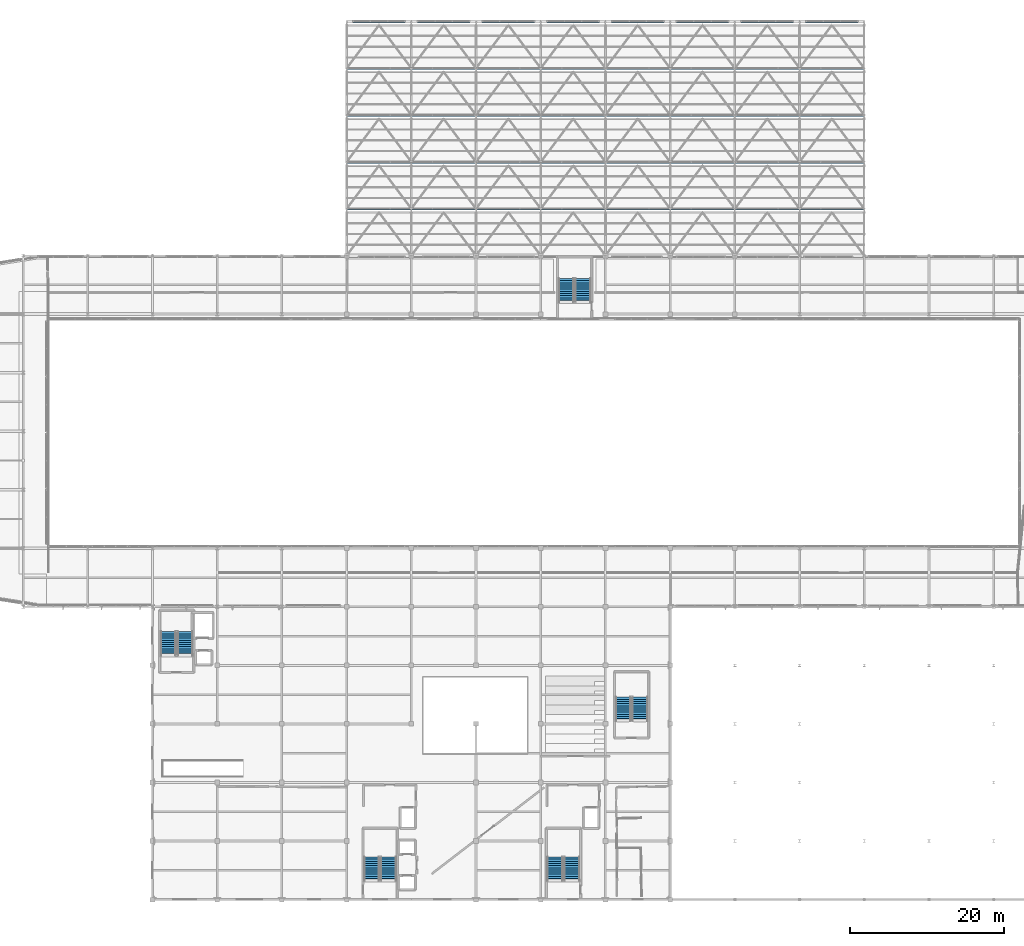
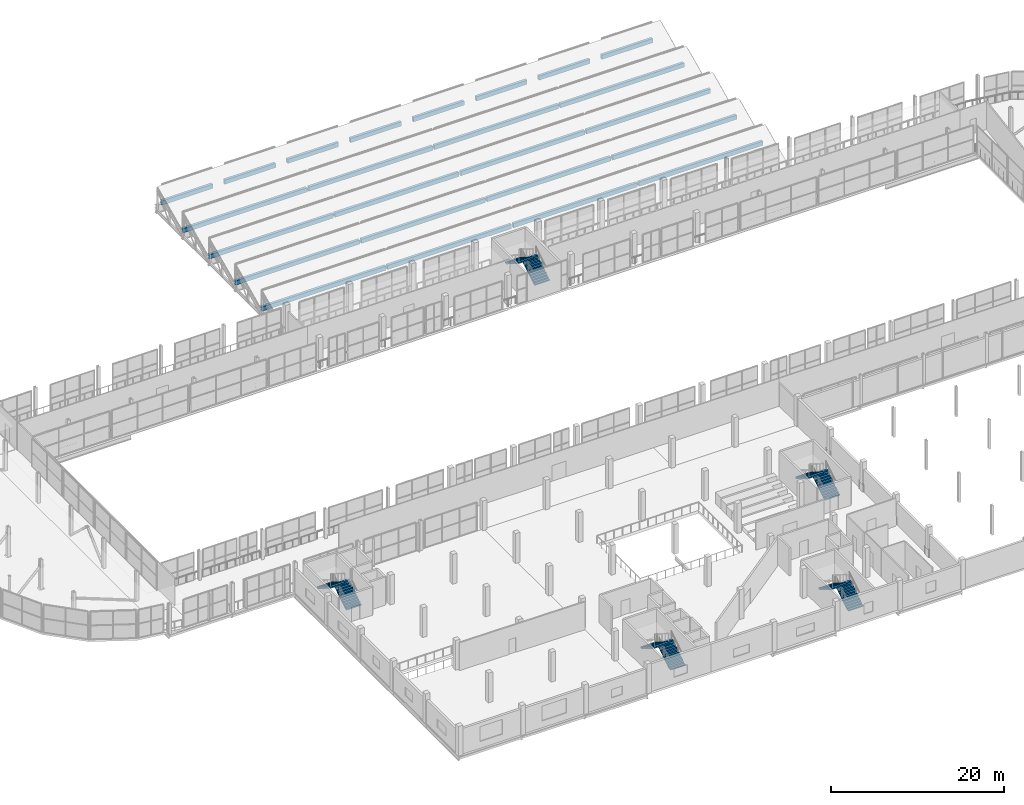
# One storey, part 200 of 217: 24 discrete accessories, 10 stair flights, 5 elements without a shape of their own.
"""IFC4 building model written with IfcOpenShell, lengths in metres."""

from ifc_helpers import new_model, si_unit, direction, frame, origin, origin_2d, place, context, subcontext, project, spatial, polyline, rectangle, outline, extrude, material, type_object, element, aggregate, save


model = new_model("IFC4")

# Units and contexts
model_context = context("Model", 3, precision=1e-05, world=origin(), true_north=direction((0.0, 1.0)))
body_context = subcontext(model_context, "Body", "Model", "MODEL_VIEW")
ifc_project = project(units=[si_unit("LENGTHUNIT", "METRE"), si_unit("AREAUNIT", "SQUARE_METRE"), si_unit("VOLUMEUNIT", "CUBIC_METRE"), si_unit("PLANEANGLEUNIT", "RADIAN"), si_unit("MASSUNIT", "GRAM", prefix="KILO")], contexts=[model_context])

# Site, building, storey
site_placement = place(None, origin())
site = spatial("IfcSite", under=ifc_project, at=site_placement, CompositionType="ELEMENT")
building_placement = place(site_placement, origin())
building = spatial("IfcBuilding", under=site, at=building_placement, Name="Zuvorla Pavilion Media Centre", CompositionType="ELEMENT")
storey_placement = place(building_placement, frame((0.0, 0.0, 9.60009765625)))
storey = spatial("IfcBuildingStorey", under=building, at=storey_placement, Name="L02", CompositionType="ELEMENT", Elevation=9.60009765625)

# Stair, stair flights
ifc_material_1 = material(Name="Concrete C40/50", Category="concrete")
stair_type = type_object("IfcStairType", Name="STR-DOG-420", PredefinedType="TWO_STRAIGHT_RUN_STAIR", material=ifc_material_1)
stair_1_placement = place(storey_placement, origin())
stair_1 = element("IfcStair", 1, at=stair_1_placement, inside=storey, type_object=stair_type, Name="L02 exit stair ST-01", PredefinedType="TWO_STRAIGHT_RUN_STAIR")
stair_flight_type = type_object("IfcStairFlightType", Name="FLT-DOG-420", PredefinedType="STRAIGHT", material=ifc_material_1)
stair_flight_1_placement = place(storey_placement, frame((72.25, 8.449951171875, 0.0), z_axis=(0.0, 0.0, 1.0), x_axis=(0.0, 1.0, 0.0)))
stair_flight_1 = element("IfcStairFlight", 2, at=stair_flight_1_placement, type_object=stair_flight_type, Name="ST-01 flight 1", NumberOfRisers=12, NumberOfTreads=11, PredefinedType="STRAIGHT", RiserHeight=0.175, TreadLength=0.28, context=body_context, shape_type="SweptSolid", body=[
    extrude(outline(polyline([(0.0, 0.0), (0.0, 0.175048828125), (0.280029296875, 0.175048828125), (0.280029296875, 0.35009765625), (0.56005859375, 0.35009765625), (0.56005859375, 0.52490234375), (0.840087890625, 0.52490234375), (0.840087890625, 0.699951171875), (1.1201171875, 0.699951171875), (1.1201171875, 0.875), (1.39990234375, 0.875), (1.39990234375, 1.050048828125), (1.679931640625, 1.050048828125), (1.679931640625, 1.22509765625), (1.9599609375, 1.22509765625), (1.9599609375, 1.39990234375), (2.239990234375, 1.39990234375), (2.239990234375, 1.574951171875), (2.52001953125, 1.574951171875), (2.52001953125, 1.75), (2.800048828125, 1.75), (2.800048828125, 1.925048828125), (3.080078125, 1.925048828125), (3.080078125, 2.10009765625), (3.080078125, 1.736328125), (0.3017578125, 0.0), (0.0, 0.0)])), frame((0.0, 1.0, 0.0), z_axis=(0.0, -1.0, 0.0), x_axis=(1.0, 0.0, 0.0)), (0.0, 0.0, 1.0), 2.0),
])
stair_flight_2_placement = place(storey_placement, frame((70.050048828125, 11.530029296875, 2.099853515625), z_axis=(0.0, 0.0, 1.0), x_axis=(0.0, -1.0, 0.0)))
stair_flight_2 = element("IfcStairFlight", 3, at=stair_flight_2_placement, type_object=stair_flight_type, Name="ST-01 flight 2", NumberOfRisers=12, NumberOfTreads=11, PredefinedType="STRAIGHT", RiserHeight=0.175, TreadLength=0.28, context=body_context, shape_type="SweptSolid", body=[
    extrude(outline(polyline([(0.0, 0.0), (0.0, 0.175048828125), (0.280029296875, 0.175048828125), (0.280029296875, 0.35009765625), (0.56005859375, 0.35009765625), (0.56005859375, 0.52490234375), (0.840087890625, 0.52490234375), (0.840087890625, 0.699951171875), (1.1201171875, 0.699951171875), (1.1201171875, 0.875), (1.39990234375, 0.875), (1.39990234375, 1.050048828125), (1.679931640625, 1.050048828125), (1.679931640625, 1.22509765625), (1.9599609375, 1.22509765625), (1.9599609375, 1.39990234375), (2.239990234375, 1.39990234375), (2.239990234375, 1.574951171875), (2.52001953125, 1.574951171875), (2.52001953125, 1.75), (2.800048828125, 1.75), (2.800048828125, 1.925048828125), (3.080078125, 1.925048828125), (3.080078125, 2.10009765625), (3.080078125, 1.736328125), (0.3017578125, 0.0), (0.0, 0.0)])), frame((0.0, 1.0, 0.0), z_axis=(0.0, -1.0, 0.0), x_axis=(1.0, 0.0, 0.0)), (0.0, 0.0, 1.0), 2.0),
])
aggregate(stair_1, [stair_flight_1, stair_flight_2])

stair_2_placement = place(storey_placement, origin())
stair_2 = element("IfcStair", 4, at=stair_2_placement, inside=storey, type_object=stair_type, Name="L02 exit stair ST-02", PredefinedType="TWO_STRAIGHT_RUN_STAIR")
stair_flight_3_placement = place(storey_placement, frame((96.050048828125, 8.449951171875, 0.0), z_axis=(0.0, 0.0, 1.0), x_axis=(0.0, 1.0, 0.0)))
stair_flight_3 = element("IfcStairFlight", 5, at=stair_flight_3_placement, type_object=stair_flight_type, Name="ST-02 flight 1", NumberOfRisers=12, NumberOfTreads=11, PredefinedType="STRAIGHT", RiserHeight=0.175, TreadLength=0.28, context=body_context, shape_type="SweptSolid", body=[
    extrude(outline(polyline([(0.0, 0.0), (0.0, 0.175048828125), (0.280029296875, 0.175048828125), (0.280029296875, 0.35009765625), (0.56005859375, 0.35009765625), (0.56005859375, 0.52490234375), (0.840087890625, 0.52490234375), (0.840087890625, 0.699951171875), (1.1201171875, 0.699951171875), (1.1201171875, 0.875), (1.39990234375, 0.875), (1.39990234375, 1.050048828125), (1.679931640625, 1.050048828125), (1.679931640625, 1.22509765625), (1.9599609375, 1.22509765625), (1.9599609375, 1.39990234375), (2.239990234375, 1.39990234375), (2.239990234375, 1.574951171875), (2.52001953125, 1.574951171875), (2.52001953125, 1.75), (2.800048828125, 1.75), (2.800048828125, 1.925048828125), (3.080078125, 1.925048828125), (3.080078125, 2.10009765625), (3.080078125, 1.736328125), (0.3017578125, 0.0), (0.0, 0.0)])), frame((0.0, 1.0, 0.0), z_axis=(0.0, -1.0, 0.0), x_axis=(1.0, 0.0, 0.0)), (0.0, 0.0, 1.0), 2.0),
])
stair_flight_4_placement = place(storey_placement, frame((93.85009765625, 11.530029296875, 2.099853515625), z_axis=(0.0, 0.0, 1.0), x_axis=(0.0, -1.0, 0.0)))
stair_flight_4 = element("IfcStairFlight", 6, at=stair_flight_4_placement, type_object=stair_flight_type, Name="ST-02 flight 2", NumberOfRisers=12, NumberOfTreads=11, PredefinedType="STRAIGHT", RiserHeight=0.175, TreadLength=0.28, context=body_context, shape_type="SweptSolid", body=[
    extrude(outline(polyline([(0.0, 0.0), (0.0, 0.175048828125), (0.280029296875, 0.175048828125), (0.280029296875, 0.35009765625), (0.56005859375, 0.35009765625), (0.56005859375, 0.52490234375), (0.840087890625, 0.52490234375), (0.840087890625, 0.699951171875), (1.1201171875, 0.699951171875), (1.1201171875, 0.875), (1.39990234375, 0.875), (1.39990234375, 1.050048828125), (1.679931640625, 1.050048828125), (1.679931640625, 1.22509765625), (1.9599609375, 1.22509765625), (1.9599609375, 1.39990234375), (2.239990234375, 1.39990234375), (2.239990234375, 1.574951171875), (2.52001953125, 1.574951171875), (2.52001953125, 1.75), (2.800048828125, 1.75), (2.800048828125, 1.925048828125), (3.080078125, 1.925048828125), (3.080078125, 2.10009765625), (3.080078125, 1.736328125), (0.3017578125, 0.0), (0.0, 0.0)])), frame((0.0, 1.0, 0.0), z_axis=(0.0, -1.0, 0.0), x_axis=(1.0, 0.0, 0.0)), (0.0, 0.0, 1.0), 2.0),
])
aggregate(stair_2, [stair_flight_3, stair_flight_4])

stair_3_placement = place(storey_placement, origin())
stair_3 = element("IfcStair", 7, at=stair_3_placement, inside=storey, type_object=stair_type, Name="L02 exit stair ST-03", PredefinedType="TWO_STRAIGHT_RUN_STAIR")
stair_flight_5_placement = place(storey_placement, frame((45.85009765625, 37.699951171875, 0.0), z_axis=(0.0, 0.0, 1.0), x_axis=(0.0, 1.0, 0.0)))
stair_flight_5 = element("IfcStairFlight", 8, at=stair_flight_5_placement, type_object=stair_flight_type, Name="ST-03 flight 1", NumberOfRisers=12, NumberOfTreads=11, PredefinedType="STRAIGHT", RiserHeight=0.175, TreadLength=0.28, context=body_context, shape_type="SweptSolid", body=[
    extrude(outline(polyline([(0.0, 0.0), (0.0, 0.175048828125), (0.280029296875, 0.175048828125), (0.280029296875, 0.35009765625), (0.56005859375, 0.35009765625), (0.56005859375, 0.52490234375), (0.840087890625, 0.52490234375), (0.840087890625, 0.699951171875), (1.1201171875, 0.699951171875), (1.1201171875, 0.875), (1.39990234375, 0.875), (1.39990234375, 1.050048828125), (1.679931640625, 1.050048828125), (1.679931640625, 1.22509765625), (1.9599609375, 1.22509765625), (1.9599609375, 1.39990234375), (2.239990234375, 1.39990234375), (2.239990234375, 1.574951171875), (2.52001953125, 1.574951171875), (2.52001953125, 1.75), (2.800048828125, 1.75), (2.800048828125, 1.925048828125), (3.080078125, 1.925048828125), (3.080078125, 2.10009765625), (3.080078125, 1.736328125), (0.3017578125, 0.0), (0.0, 0.0)])), frame((0.0, 1.0, 0.0), z_axis=(0.0, -1.0, 0.0), x_axis=(1.0, 0.0, 0.0)), (0.0, 0.0, 1.0), 2.0),
])
stair_flight_6_placement = place(storey_placement, frame((43.64990234375, 40.780029296875, 2.099853515625), z_axis=(0.0, 0.0, 1.0), x_axis=(0.0, -1.0, 0.0)))
stair_flight_6 = element("IfcStairFlight", 9, at=stair_flight_6_placement, type_object=stair_flight_type, Name="ST-03 flight 2", NumberOfRisers=12, NumberOfTreads=11, PredefinedType="STRAIGHT", RiserHeight=0.175, TreadLength=0.28, context=body_context, shape_type="SweptSolid", body=[
    extrude(outline(polyline([(0.0, 0.0), (0.0, 0.175048828125), (0.280029296875, 0.175048828125), (0.280029296875, 0.35009765625), (0.56005859375, 0.35009765625), (0.56005859375, 0.52490234375), (0.840087890625, 0.52490234375), (0.840087890625, 0.699951171875), (1.1201171875, 0.699951171875), (1.1201171875, 0.875), (1.39990234375, 0.875), (1.39990234375, 1.050048828125), (1.679931640625, 1.050048828125), (1.679931640625, 1.22509765625), (1.9599609375, 1.22509765625), (1.9599609375, 1.39990234375), (2.239990234375, 1.39990234375), (2.239990234375, 1.574951171875), (2.52001953125, 1.574951171875), (2.52001953125, 1.75), (2.800048828125, 1.75), (2.800048828125, 1.925048828125), (3.080078125, 1.925048828125), (3.080078125, 2.10009765625), (3.080078125, 1.736328125), (0.3017578125, 0.0), (0.0, 0.0)])), frame((0.0, 1.0, 0.0), z_axis=(0.0, -1.0, 0.0), x_axis=(1.0, 0.0, 0.0)), (0.0, 0.0, 1.0), 2.0),
])
aggregate(stair_3, [stair_flight_5, stair_flight_6])

stair_4_placement = place(storey_placement, origin())
stair_4 = element("IfcStair", 10, at=stair_4_placement, inside=storey, type_object=stair_type, Name="L02 exit stair ST-04", PredefinedType="TWO_STRAIGHT_RUN_STAIR")
stair_flight_7_placement = place(storey_placement, frame((104.89990234375, 29.199951171875, 0.0), z_axis=(0.0, 0.0, 1.0), x_axis=(0.0, 1.0, 0.0)))
stair_flight_7 = element("IfcStairFlight", 11, at=stair_flight_7_placement, type_object=stair_flight_type, Name="ST-04 flight 1", NumberOfRisers=12, NumberOfTreads=11, PredefinedType="STRAIGHT", RiserHeight=0.175, TreadLength=0.28, context=body_context, shape_type="SweptSolid", body=[
    extrude(outline(polyline([(0.0, 0.0), (0.0, 0.175048828125), (0.280029296875, 0.175048828125), (0.280029296875, 0.35009765625), (0.56005859375, 0.35009765625), (0.56005859375, 0.52490234375), (0.840087890625, 0.52490234375), (0.840087890625, 0.699951171875), (1.1201171875, 0.699951171875), (1.1201171875, 0.875), (1.39990234375, 0.875), (1.39990234375, 1.050048828125), (1.679931640625, 1.050048828125), (1.679931640625, 1.22509765625), (1.9599609375, 1.22509765625), (1.9599609375, 1.39990234375), (2.239990234375, 1.39990234375), (2.239990234375, 1.574951171875), (2.52001953125, 1.574951171875), (2.52001953125, 1.75), (2.800048828125, 1.75), (2.800048828125, 1.925048828125), (3.080078125, 1.925048828125), (3.080078125, 2.10009765625), (3.080078125, 1.736328125), (0.3017578125, 0.0), (0.0, 0.0)])), frame((0.0, 1.0, 0.0), z_axis=(0.0, -1.0, 0.0), x_axis=(1.0, 0.0, 0.0)), (0.0, 0.0, 1.0), 2.0),
])
stair_flight_8_placement = place(storey_placement, frame((102.699951171875, 32.280029296875, 2.099853515625), z_axis=(0.0, 0.0, 1.0), x_axis=(0.0, -1.0, 0.0)))
stair_flight_8 = element("IfcStairFlight", 12, at=stair_flight_8_placement, type_object=stair_flight_type, Name="ST-04 flight 2", NumberOfRisers=12, NumberOfTreads=11, PredefinedType="STRAIGHT", RiserHeight=0.175, TreadLength=0.28, context=body_context, shape_type="SweptSolid", body=[
    extrude(outline(polyline([(0.0, 0.0), (0.0, 0.175048828125), (0.280029296875, 0.175048828125), (0.280029296875, 0.35009765625), (0.56005859375, 0.35009765625), (0.56005859375, 0.52490234375), (0.840087890625, 0.52490234375), (0.840087890625, 0.699951171875), (1.1201171875, 0.699951171875), (1.1201171875, 0.875), (1.39990234375, 0.875), (1.39990234375, 1.050048828125), (1.679931640625, 1.050048828125), (1.679931640625, 1.22509765625), (1.9599609375, 1.22509765625), (1.9599609375, 1.39990234375), (2.239990234375, 1.39990234375), (2.239990234375, 1.574951171875), (2.52001953125, 1.574951171875), (2.52001953125, 1.75), (2.800048828125, 1.75), (2.800048828125, 1.925048828125), (3.080078125, 1.925048828125), (3.080078125, 2.10009765625), (3.080078125, 1.736328125), (0.3017578125, 0.0), (0.0, 0.0)])), frame((0.0, 1.0, 0.0), z_axis=(0.0, -1.0, 0.0), x_axis=(1.0, 0.0, 0.0)), (0.0, 0.0, 1.0), 2.0),
])
aggregate(stair_4, [stair_flight_7, stair_flight_8])

stair_5_placement = place(storey_placement, origin())
stair_5 = element("IfcStair", 13, at=stair_5_placement, inside=storey, type_object=stair_type, Name="L02 exit stair ST-05", PredefinedType="TWO_STRAIGHT_RUN_STAIR")
stair_flight_9_placement = place(storey_placement, frame((97.5, 83.550048828125, 0.0), z_axis=(0.0, 0.0, 1.0), x_axis=(0.0, 1.0, 0.0)))
stair_flight_9 = element("IfcStairFlight", 14, at=stair_flight_9_placement, type_object=stair_flight_type, Name="ST-05 flight 1", NumberOfRisers=12, NumberOfTreads=11, PredefinedType="STRAIGHT", RiserHeight=0.175, TreadLength=0.28, context=body_context, shape_type="SweptSolid", body=[
    extrude(outline(polyline([(0.0, 0.0), (0.0, 0.175048828125), (0.280029296875, 0.175048828125), (0.280029296875, 0.35009765625), (0.56005859375, 0.35009765625), (0.56005859375, 0.52490234375), (0.840087890625, 0.52490234375), (0.840087890625, 0.699951171875), (1.1201171875, 0.699951171875), (1.1201171875, 0.875), (1.39990234375, 0.875), (1.39990234375, 1.050048828125), (1.679931640625, 1.050048828125), (1.679931640625, 1.22509765625), (1.9599609375, 1.22509765625), (1.9599609375, 1.39990234375), (2.239990234375, 1.39990234375), (2.239990234375, 1.574951171875), (2.52001953125, 1.574951171875), (2.52001953125, 1.75), (2.800048828125, 1.75), (2.800048828125, 1.925048828125), (3.080078125, 1.925048828125), (3.080078125, 2.10009765625), (3.080078125, 1.736328125), (0.3017578125, 0.0), (0.0, 0.0)])), frame((0.0, 1.0, 0.0), z_axis=(0.0, -1.0, 0.0), x_axis=(1.0, 0.0, 0.0)), (0.0, 0.0, 1.0), 2.0),
])
stair_flight_10_placement = place(storey_placement, frame((95.300048828125, 86.6298828125, 2.099853515625), z_axis=(0.0, 0.0, 1.0), x_axis=(0.0, -1.0, 0.0)))
stair_flight_10 = element("IfcStairFlight", 15, at=stair_flight_10_placement, type_object=stair_flight_type, Name="ST-05 flight 2", NumberOfRisers=12, NumberOfTreads=11, PredefinedType="STRAIGHT", RiserHeight=0.175, TreadLength=0.28, context=body_context, shape_type="SweptSolid", body=[
    extrude(outline(polyline([(0.0, 0.0), (0.0, 0.175048828125), (0.280029296875, 0.175048828125), (0.280029296875, 0.35009765625), (0.56005859375, 0.35009765625), (0.56005859375, 0.52490234375), (0.840087890625, 0.52490234375), (0.840087890625, 0.699951171875), (1.1201171875, 0.699951171875), (1.1201171875, 0.875), (1.39990234375, 0.875), (1.39990234375, 1.050048828125), (1.679931640625, 1.050048828125), (1.679931640625, 1.22509765625), (1.9599609375, 1.22509765625), (1.9599609375, 1.39990234375), (2.239990234375, 1.39990234375), (2.239990234375, 1.574951171875), (2.52001953125, 1.574951171875), (2.52001953125, 1.75), (2.800048828125, 1.75), (2.800048828125, 1.925048828125), (3.080078125, 1.925048828125), (3.080078125, 2.10009765625), (3.080078125, 1.736328125), (0.3017578125, 0.0), (0.0, 0.0)])), frame((0.0, 1.0, 0.0), z_axis=(0.0, -1.0, 0.0), x_axis=(1.0, 0.0, 0.0)), (0.0, 0.0, 1.0), 2.0),
])
aggregate(stair_5, [stair_flight_9, stair_flight_10])

# Discrete accessories
ifc_material_2 = material(Name="Galvanised steel S355 fixing bracket", Category="steel")
discrete_accessory_type = type_object("IfcDiscreteAccessoryType", Name="ACC-BRK-STL", PredefinedType="BRACKET", material=ifc_material_2)
for number, where, z_axis, x_axis, name in (
    (16, (75.199951171875, 95.679931640625, -0.520263671875), (0.0, 0.0, 1.0), (1.0, 0.0, 0.0), "L02 clerestory sill bracket"),
    (17, (92.0, 95.679931640625, -0.520263671875), (0.0, 0.0, 1.0), (1.0, 0.0, 0.0), "L02 clerestory sill bracket"),
    (18, (108.800048828125, 95.679931640625, -0.520263671875), (0.0, 0.0, 1.0), (1.0, 0.0, 0.0), "L02 clerestory sill bracket"),
    (19, (125.60009765625, 95.679931640625, -0.520263671875), (0.0, 0.0, 1.0), (1.0, 0.0, 0.0), "L02 clerestory sill bracket"),
    (20, (75.199951171875, 101.760009765625, -0.520263671875), (0.0, 0.0, 1.0), (1.0, 0.0, 0.0), "L02 clerestory sill bracket"),
    (21, (92.0, 101.760009765625, -0.520263671875), (0.0, 0.0, 1.0), (1.0, 0.0, 0.0), "L02 clerestory sill bracket"),
    (22, (108.800048828125, 101.760009765625, -0.520263671875), (0.0, 0.0, 1.0), (1.0, 0.0, 0.0), "L02 clerestory sill bracket"),
    (23, (125.60009765625, 101.760009765625, -0.520263671875), (0.0, 0.0, 1.0), (1.0, 0.0, 0.0), "L02 clerestory sill bracket"),
    (24, (75.199951171875, 107.840087890625, -0.520263671875), (0.0, 0.0, 1.0), (1.0, 0.0, 0.0), "L02 clerestory sill bracket"),
    (25, (92.0, 107.840087890625, -0.520263671875), (0.0, 0.0, 1.0), (1.0, 0.0, 0.0), "L02 clerestory sill bracket"),
    (26, (108.800048828125, 107.840087890625, -0.520263671875), (0.0, 0.0, 1.0), (1.0, 0.0, 0.0), "L02 clerestory sill bracket"),
    (27, (125.60009765625, 107.840087890625, -0.520263671875), (0.0, 0.0, 1.0), (1.0, 0.0, 0.0), "L02 clerestory sill bracket"),
    (28, (75.199951171875, 113.919921875, -0.520263671875), (0.0, 0.0, 1.0), (1.0, 0.0, 0.0), "L02 clerestory sill bracket"),
    (29, (92.0, 113.919921875, -0.520263671875), (0.0, 0.0, 1.0), (1.0, 0.0, 0.0), "L02 clerestory sill bracket"),
    (30, (108.800048828125, 113.919921875, -0.520263671875), (0.0, 0.0, 1.0), (1.0, 0.0, 0.0), "L02 clerestory sill bracket"),
    (31, (125.60009765625, 113.919921875, -0.520263671875), (0.0, 0.0, 1.0), (1.0, 0.0, 0.0), "L02 clerestory sill bracket"),
):
    element("IfcDiscreteAccessory", number, at=place(storey_placement, frame(where, z_axis=z_axis, x_axis=x_axis)), inside=storey, type_object=discrete_accessory_type, Name=name, PredefinedType="BRACKET", context=body_context, shape_type="SweptSolid", body=[
        extrude(rectangle(XDim=16.580078125, YDim=0.360107421875, at=origin_2d()), origin(), (0.0, 0.0, 1.0), 0.60009765625),
    ])
for number, where, z_axis, x_axis, name in (
    (32, (71.0, 120.0, -0.520263671875), (0.0, 0.0, 1.0), (1.0, 0.0, 0.0), "L02 clerestory sill bracket"),
    (33, (79.39990234375, 120.0, -0.520263671875), (0.0, 0.0, 1.0), (1.0, 0.0, 0.0), "L02 clerestory sill bracket"),
    (34, (87.800048828125, 120.0, -0.520263671875), (0.0, 0.0, 1.0), (1.0, 0.0, 0.0), "L02 clerestory sill bracket"),
    (35, (96.199951171875, 120.0, -0.520263671875), (0.0, 0.0, 1.0), (1.0, 0.0, 0.0), "L02 clerestory sill bracket"),
    (36, (104.60009765625, 120.0, -0.520263671875), (0.0, 0.0, 1.0), (1.0, 0.0, 0.0), "L02 clerestory sill bracket"),
    (37, (113.0, 120.0, -0.520263671875), (0.0, 0.0, 1.0), (1.0, 0.0, 0.0), "L02 clerestory sill bracket"),
    (38, (121.39990234375, 120.0, -0.520263671875), (0.0, 0.0, 1.0), (1.0, 0.0, 0.0), "L02 clerestory sill bracket"),
    (39, (129.800048828125, 120.0, -0.520263671875), (0.0, 0.0, 1.0), (1.0, 0.0, 0.0), "L02 clerestory sill bracket"),
):
    element("IfcDiscreteAccessory", number, at=place(storey_placement, frame(where, z_axis=z_axis, x_axis=x_axis)), inside=storey, type_object=discrete_accessory_type, Name=name, PredefinedType="BRACKET", context=body_context, shape_type="SweptSolid", body=[
        extrude(rectangle(XDim=6.79931640625, YDim=0.360107421875, at=origin_2d()), origin(), (0.0, 0.0, 1.0), 0.60009765625),
    ])

save(model, "model.ifc")
